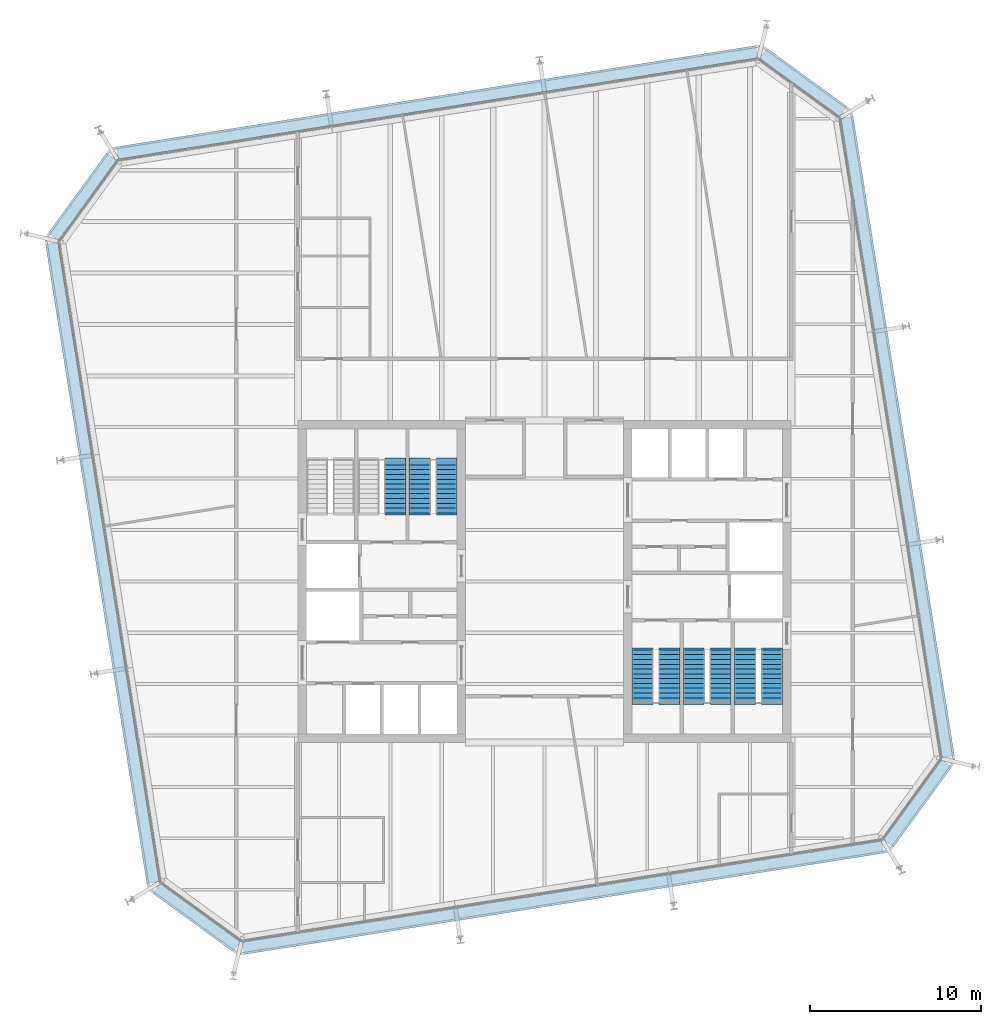
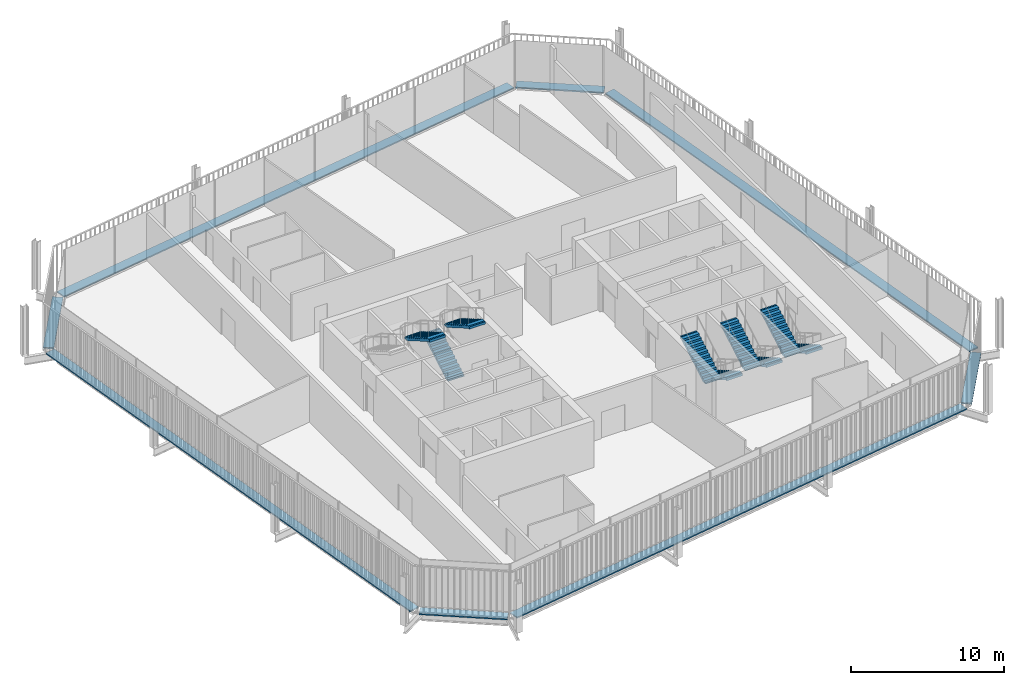
# One storey, part 19 of 20: 9 stair flights, 8 discrete accessories, 5 elements without a shape of their own.
"""IFC4 building model written with IfcOpenShell, lengths in metres."""

from ifc_helpers import new_model, si_unit, direction, frame, origin, origin_2d, place, context, subcontext, project, spatial, polyline, rectangle, outline, extrude, material, type_object, element, aggregate, save


model = new_model("IFC4")

# Units and contexts
model_context = context("Model", 3, precision=1e-05, world=origin(), true_north=direction((0.0, 1.0)))
body_context = subcontext(model_context, "Body", "Model", "MODEL_VIEW")
ifc_project = project(units=[si_unit("LENGTHUNIT", "METRE"), si_unit("AREAUNIT", "SQUARE_METRE"), si_unit("VOLUMEUNIT", "CUBIC_METRE"), si_unit("PLANEANGLEUNIT", "RADIAN"), si_unit("MASSUNIT", "GRAM", prefix="KILO")], contexts=[model_context])

# Site, building, storey
site_placement = place(None, origin())
site = spatial("IfcSite", under=ifc_project, at=site_placement, CompositionType="ELEMENT")
building_placement = place(site_placement, origin())
building = spatial("IfcBuilding", under=site, at=building_placement, Name="Millrace Tower", CompositionType="ELEMENT")
storey_placement = place(building_placement, frame((0.0, 0.0, 216.39990234375)))
storey = spatial("IfcBuildingStorey", under=building, at=storey_placement, Name="L49", CompositionType="ELEMENT", Elevation=216.39990234375)

# Stair, stair flight
ifc_material_1 = material(Name="Concrete C35", Category="concrete")
stair_type = type_object("IfcStairType", Name="Exit stair", PredefinedType="HALF_TURN_STAIR", material=ifc_material_1)
placement = place(storey_placement, origin())
stair_1 = element("IfcStair", 1, at=placement, inside=storey, type_object=stair_type, Name="Stair 2 W L49", PredefinedType="HALF_TURN_STAIR")
ifc_material_2 = material(Name="Concrete C35", Category="concrete")
stair_flight_type = type_object("IfcStairFlightType", Name="Exit stair flight", PredefinedType="STRAIGHT", material=ifc_material_2)
stair_flight_1_placement = place(storey_placement, frame((-8.7099609375, 7.080078125, 1.9501953125), z_axis=(0.0, 0.0, 1.0), x_axis=(0.0, -1.0, 0.0)))
stair_flight_1 = element("IfcStairFlight", 2, at=stair_flight_1_placement, type_object=stair_flight_type, Name="ST12 flight 2", NumberOfRisers=12, NumberOfTreads=11, PredefinedType="STRAIGHT", RiserHeight=0.1625, TreadLength=0.28, context=body_context, shape_type="SweptSolid", body=[
    extrude(outline(polyline([(-0.1201171875, -0.0400390625), (-0.1201171875, 0.0), (0.0, 0.0), (0.0, 0.16259765625), (0.280029296875, 0.16259765625), (0.280029296875, 0.324951171875), (0.56005859375, 0.324951171875), (0.56005859375, 0.487548828125), (0.840087890625, 0.487548828125), (0.840087890625, 0.64990234375), (1.1201171875, 0.64990234375), (1.1201171875, 0.8125), (1.39990234375, 0.8125), (1.39990234375, 0.97509765625), (1.679931640625, 0.97509765625), (1.679931640625, 1.137451171875), (1.9599609375, 1.137451171875), (1.9599609375, 1.300048828125), (2.239990234375, 1.300048828125), (2.239990234375, 1.46240234375), (2.52001953125, 1.46240234375), (2.52001953125, 1.625), (2.800048828125, 1.625), (2.800048828125, 1.78759765625), (3.080078125, 1.78759765625), (3.080078125, 1.8076171875), (3.199951171875, 1.8076171875), (3.199951171875, 1.6142578125), (3.080078125, 1.6142578125), (0.298583984375, 0.0), (0.298583984375, -0.0400390625), (-0.1201171875, -0.0400390625)])), frame((0.0, 0.60986328125, 0.0), z_axis=(0.0, -1.0, 0.0), x_axis=(1.0, 0.0, 0.0)), (0.0, 0.0, 1.0), 1.219970703125),
])
aggregate(stair_1, [stair_flight_1])

# Stair, stair flights
stair_2 = element("IfcStair", 3, at=placement, inside=storey, type_object=stair_type, Name="Stair 3 W L49", PredefinedType="HALF_TURN_STAIR")
stair_flight_2_placement = place(storey_placement, frame((-7.2900390625, 4.0, 0.0), z_axis=(0.0, 0.0, 1.0), x_axis=(0.0, 1.0, 0.0)))
stair_flight_2 = element("IfcStairFlight", 4, at=stair_flight_2_placement, type_object=stair_flight_type, Name="ST12 flight 1", NumberOfRisers=12, NumberOfTreads=11, PredefinedType="STRAIGHT", RiserHeight=0.1625, TreadLength=0.28, context=body_context, shape_type="SweptSolid", body=[
    extrude(outline(polyline([(-0.1201171875, -0.0400390625), (-0.1201171875, 0.0), (0.0, 0.0), (0.0, 0.16259765625), (0.280029296875, 0.16259765625), (0.280029296875, 0.324951171875), (0.56005859375, 0.324951171875), (0.56005859375, 0.487548828125), (0.840087890625, 0.487548828125), (0.840087890625, 0.64990234375), (1.1201171875, 0.64990234375), (1.1201171875, 0.8125), (1.39990234375, 0.8125), (1.39990234375, 0.97509765625), (1.679931640625, 0.97509765625), (1.679931640625, 1.137451171875), (1.9599609375, 1.137451171875), (1.9599609375, 1.300048828125), (2.239990234375, 1.300048828125), (2.239990234375, 1.46240234375), (2.52001953125, 1.46240234375), (2.52001953125, 1.625), (2.800048828125, 1.625), (2.800048828125, 1.78759765625), (3.080078125, 1.78759765625), (3.080078125, 1.8076171875), (3.199951171875, 1.8076171875), (3.199951171875, 1.6142578125), (3.080078125, 1.6142578125), (0.298583984375, 0.0), (0.298583984375, -0.0400390625), (-0.1201171875, -0.0400390625)])), frame((0.0, 0.60986328125, 0.0), z_axis=(0.0, -1.0, 0.0), x_axis=(1.0, 0.0, 0.0)), (0.0, 0.0, 1.0), 1.219970703125),
])
stair_flight_3_placement = place(storey_placement, frame((-5.7099609375, 7.080078125, 1.9501953125), z_axis=(0.0, 0.0, 1.0), x_axis=(0.0, -1.0, 0.0)))
stair_flight_3 = element("IfcStairFlight", 5, at=stair_flight_3_placement, type_object=stair_flight_type, Name="ST12 flight 2", NumberOfRisers=12, NumberOfTreads=11, PredefinedType="STRAIGHT", RiserHeight=0.1625, TreadLength=0.28, context=body_context, shape_type="SweptSolid", body=[
    extrude(outline(polyline([(-0.1201171875, -0.0400390625), (-0.1201171875, 0.0), (0.0, 0.0), (0.0, 0.16259765625), (0.280029296875, 0.16259765625), (0.280029296875, 0.324951171875), (0.56005859375, 0.324951171875), (0.56005859375, 0.487548828125), (0.840087890625, 0.487548828125), (0.840087890625, 0.64990234375), (1.1201171875, 0.64990234375), (1.1201171875, 0.8125), (1.39990234375, 0.8125), (1.39990234375, 0.97509765625), (1.679931640625, 0.97509765625), (1.679931640625, 1.137451171875), (1.9599609375, 1.137451171875), (1.9599609375, 1.300048828125), (2.239990234375, 1.300048828125), (2.239990234375, 1.46240234375), (2.52001953125, 1.46240234375), (2.52001953125, 1.625), (2.800048828125, 1.625), (2.800048828125, 1.78759765625), (3.080078125, 1.78759765625), (3.080078125, 1.8076171875), (3.199951171875, 1.8076171875), (3.199951171875, 1.6142578125), (3.080078125, 1.6142578125), (0.298583984375, 0.0), (0.298583984375, -0.0400390625), (-0.1201171875, -0.0400390625)])), frame((0.0, 0.60986328125, 0.0), z_axis=(0.0, -1.0, 0.0), x_axis=(1.0, 0.0, 0.0)), (0.0, 0.0, 1.0), 1.219970703125),
])
aggregate(stair_2, [stair_flight_2, stair_flight_3])

stair_3 = element("IfcStair", 6, at=placement, inside=storey, type_object=stair_type, Name="Stair 1 E L49", PredefinedType="HALF_TURN_STAIR")
stair_flight_4_placement = place(storey_placement, frame((13.2900390625, -4.0, 0.0), z_axis=(0.0, 0.0, 1.0), x_axis=(0.0, -1.0, 0.0)))
stair_flight_4 = element("IfcStairFlight", 7, at=stair_flight_4_placement, type_object=stair_flight_type, Name="ST12 flight 1", NumberOfRisers=12, NumberOfTreads=11, PredefinedType="STRAIGHT", RiserHeight=0.1625, TreadLength=0.28, context=body_context, shape_type="SweptSolid", body=[
    extrude(outline(polyline([(-0.1201171875, -0.0400390625), (-0.1201171875, 0.0), (0.0, 0.0), (0.0, 0.16259765625), (0.280029296875, 0.16259765625), (0.280029296875, 0.324951171875), (0.56005859375, 0.324951171875), (0.56005859375, 0.487548828125), (0.840087890625, 0.487548828125), (0.840087890625, 0.64990234375), (1.1201171875, 0.64990234375), (1.1201171875, 0.8125), (1.39990234375, 0.8125), (1.39990234375, 0.97509765625), (1.679931640625, 0.97509765625), (1.679931640625, 1.137451171875), (1.9599609375, 1.137451171875), (1.9599609375, 1.300048828125), (2.239990234375, 1.300048828125), (2.239990234375, 1.46240234375), (2.52001953125, 1.46240234375), (2.52001953125, 1.625), (2.800048828125, 1.625), (2.800048828125, 1.78759765625), (3.080078125, 1.78759765625), (3.080078125, 1.8076171875), (3.199951171875, 1.8076171875), (3.199951171875, 1.6142578125), (3.080078125, 1.6142578125), (0.298583984375, 0.0), (0.298583984375, -0.0400390625), (-0.1201171875, -0.0400390625)])), frame((0.0, 0.60986328125, 0.0), z_axis=(0.0, -1.0, 0.0), x_axis=(1.0, 0.0, 0.0)), (0.0, 0.0, 1.0), 1.219970703125),
])
stair_flight_5_placement = place(storey_placement, frame((11.7099609375, -7.080078125, 1.9501953125), z_axis=(0.0, 0.0, 1.0), x_axis=(0.0, 1.0, 0.0)))
stair_flight_5 = element("IfcStairFlight", 8, at=stair_flight_5_placement, type_object=stair_flight_type, Name="ST12 flight 2", NumberOfRisers=12, NumberOfTreads=11, PredefinedType="STRAIGHT", RiserHeight=0.1625, TreadLength=0.28, context=body_context, shape_type="SweptSolid", body=[
    extrude(outline(polyline([(-0.1201171875, -0.0400390625), (-0.1201171875, 0.0), (0.0, 0.0), (0.0, 0.16259765625), (0.280029296875, 0.16259765625), (0.280029296875, 0.324951171875), (0.56005859375, 0.324951171875), (0.56005859375, 0.487548828125), (0.840087890625, 0.487548828125), (0.840087890625, 0.64990234375), (1.1201171875, 0.64990234375), (1.1201171875, 0.8125), (1.39990234375, 0.8125), (1.39990234375, 0.97509765625), (1.679931640625, 0.97509765625), (1.679931640625, 1.137451171875), (1.9599609375, 1.137451171875), (1.9599609375, 1.300048828125), (2.239990234375, 1.300048828125), (2.239990234375, 1.46240234375), (2.52001953125, 1.46240234375), (2.52001953125, 1.625), (2.800048828125, 1.625), (2.800048828125, 1.78759765625), (3.080078125, 1.78759765625), (3.080078125, 1.8076171875), (3.199951171875, 1.8076171875), (3.199951171875, 1.6142578125), (3.080078125, 1.6142578125), (0.298583984375, 0.0), (0.298583984375, -0.0400390625), (-0.1201171875, -0.0400390625)])), frame((0.0, 0.60986328125, 0.0), z_axis=(0.0, -1.0, 0.0), x_axis=(1.0, 0.0, 0.0)), (0.0, 0.0, 1.0), 1.219970703125),
])
aggregate(stair_3, [stair_flight_4, stair_flight_5])

stair_4 = element("IfcStair", 9, at=placement, inside=storey, type_object=stair_type, Name="Stair 2 E L49", PredefinedType="HALF_TURN_STAIR")
stair_flight_6_placement = place(storey_placement, frame((10.2900390625, -4.0, 0.0), z_axis=(0.0, 0.0, 1.0), x_axis=(0.0, -1.0, 0.0)))
stair_flight_6 = element("IfcStairFlight", 10, at=stair_flight_6_placement, type_object=stair_flight_type, Name="ST12 flight 1", NumberOfRisers=12, NumberOfTreads=11, PredefinedType="STRAIGHT", RiserHeight=0.1625, TreadLength=0.28, context=body_context, shape_type="SweptSolid", body=[
    extrude(outline(polyline([(-0.1201171875, -0.0400390625), (-0.1201171875, 0.0), (0.0, 0.0), (0.0, 0.16259765625), (0.280029296875, 0.16259765625), (0.280029296875, 0.324951171875), (0.56005859375, 0.324951171875), (0.56005859375, 0.487548828125), (0.840087890625, 0.487548828125), (0.840087890625, 0.64990234375), (1.1201171875, 0.64990234375), (1.1201171875, 0.8125), (1.39990234375, 0.8125), (1.39990234375, 0.97509765625), (1.679931640625, 0.97509765625), (1.679931640625, 1.137451171875), (1.9599609375, 1.137451171875), (1.9599609375, 1.300048828125), (2.239990234375, 1.300048828125), (2.239990234375, 1.46240234375), (2.52001953125, 1.46240234375), (2.52001953125, 1.625), (2.800048828125, 1.625), (2.800048828125, 1.78759765625), (3.080078125, 1.78759765625), (3.080078125, 1.8076171875), (3.199951171875, 1.8076171875), (3.199951171875, 1.6142578125), (3.080078125, 1.6142578125), (0.298583984375, 0.0), (0.298583984375, -0.0400390625), (-0.1201171875, -0.0400390625)])), frame((0.0, 0.60986328125, 0.0), z_axis=(0.0, -1.0, 0.0), x_axis=(1.0, 0.0, 0.0)), (0.0, 0.0, 1.0), 1.219970703125),
])
stair_flight_7_placement = place(storey_placement, frame((8.7099609375, -7.080078125, 1.9501953125), z_axis=(0.0, 0.0, 1.0), x_axis=(0.0, 1.0, 0.0)))
stair_flight_7 = element("IfcStairFlight", 11, at=stair_flight_7_placement, type_object=stair_flight_type, Name="ST12 flight 2", NumberOfRisers=12, NumberOfTreads=11, PredefinedType="STRAIGHT", RiserHeight=0.1625, TreadLength=0.28, context=body_context, shape_type="SweptSolid", body=[
    extrude(outline(polyline([(-0.1201171875, -0.0400390625), (-0.1201171875, 0.0), (0.0, 0.0), (0.0, 0.16259765625), (0.280029296875, 0.16259765625), (0.280029296875, 0.324951171875), (0.56005859375, 0.324951171875), (0.56005859375, 0.487548828125), (0.840087890625, 0.487548828125), (0.840087890625, 0.64990234375), (1.1201171875, 0.64990234375), (1.1201171875, 0.8125), (1.39990234375, 0.8125), (1.39990234375, 0.97509765625), (1.679931640625, 0.97509765625), (1.679931640625, 1.137451171875), (1.9599609375, 1.137451171875), (1.9599609375, 1.300048828125), (2.239990234375, 1.300048828125), (2.239990234375, 1.46240234375), (2.52001953125, 1.46240234375), (2.52001953125, 1.625), (2.800048828125, 1.625), (2.800048828125, 1.78759765625), (3.080078125, 1.78759765625), (3.080078125, 1.8076171875), (3.199951171875, 1.8076171875), (3.199951171875, 1.6142578125), (3.080078125, 1.6142578125), (0.298583984375, 0.0), (0.298583984375, -0.0400390625), (-0.1201171875, -0.0400390625)])), frame((0.0, 0.60986328125, 0.0), z_axis=(0.0, -1.0, 0.0), x_axis=(1.0, 0.0, 0.0)), (0.0, 0.0, 1.0), 1.219970703125),
])
aggregate(stair_4, [stair_flight_6, stair_flight_7])

stair_5 = element("IfcStair", 12, at=placement, inside=storey, type_object=stair_type, Name="Stair 3 E L49", PredefinedType="HALF_TURN_STAIR")
stair_flight_8_placement = place(storey_placement, frame((7.2900390625, -4.0, 0.0), z_axis=(0.0, 0.0, 1.0), x_axis=(0.0, -1.0, 0.0)))
stair_flight_8 = element("IfcStairFlight", 13, at=stair_flight_8_placement, type_object=stair_flight_type, Name="ST12 flight 1", NumberOfRisers=12, NumberOfTreads=11, PredefinedType="STRAIGHT", RiserHeight=0.1625, TreadLength=0.28, context=body_context, shape_type="SweptSolid", body=[
    extrude(outline(polyline([(-0.1201171875, -0.0400390625), (-0.1201171875, 0.0), (0.0, 0.0), (0.0, 0.16259765625), (0.280029296875, 0.16259765625), (0.280029296875, 0.324951171875), (0.56005859375, 0.324951171875), (0.56005859375, 0.487548828125), (0.840087890625, 0.487548828125), (0.840087890625, 0.64990234375), (1.1201171875, 0.64990234375), (1.1201171875, 0.8125), (1.39990234375, 0.8125), (1.39990234375, 0.97509765625), (1.679931640625, 0.97509765625), (1.679931640625, 1.137451171875), (1.9599609375, 1.137451171875), (1.9599609375, 1.300048828125), (2.239990234375, 1.300048828125), (2.239990234375, 1.46240234375), (2.52001953125, 1.46240234375), (2.52001953125, 1.625), (2.800048828125, 1.625), (2.800048828125, 1.78759765625), (3.080078125, 1.78759765625), (3.080078125, 1.8076171875), (3.199951171875, 1.8076171875), (3.199951171875, 1.6142578125), (3.080078125, 1.6142578125), (0.298583984375, 0.0), (0.298583984375, -0.0400390625), (-0.1201171875, -0.0400390625)])), frame((0.0, 0.60986328125, 0.0), z_axis=(0.0, -1.0, 0.0), x_axis=(1.0, 0.0, 0.0)), (0.0, 0.0, 1.0), 1.219970703125),
])
stair_flight_9_placement = place(storey_placement, frame((5.7099609375, -7.080078125, 1.9501953125), z_axis=(0.0, 0.0, 1.0), x_axis=(0.0, 1.0, 0.0)))
stair_flight_9 = element("IfcStairFlight", 14, at=stair_flight_9_placement, type_object=stair_flight_type, Name="ST12 flight 2", NumberOfRisers=12, NumberOfTreads=11, PredefinedType="STRAIGHT", RiserHeight=0.1625, TreadLength=0.28, context=body_context, shape_type="SweptSolid", body=[
    extrude(outline(polyline([(-0.1201171875, -0.0400390625), (-0.1201171875, 0.0), (0.0, 0.0), (0.0, 0.16259765625), (0.280029296875, 0.16259765625), (0.280029296875, 0.324951171875), (0.56005859375, 0.324951171875), (0.56005859375, 0.487548828125), (0.840087890625, 0.487548828125), (0.840087890625, 0.64990234375), (1.1201171875, 0.64990234375), (1.1201171875, 0.8125), (1.39990234375, 0.8125), (1.39990234375, 0.97509765625), (1.679931640625, 0.97509765625), (1.679931640625, 1.137451171875), (1.9599609375, 1.137451171875), (1.9599609375, 1.300048828125), (2.239990234375, 1.300048828125), (2.239990234375, 1.46240234375), (2.52001953125, 1.46240234375), (2.52001953125, 1.625), (2.800048828125, 1.625), (2.800048828125, 1.78759765625), (3.080078125, 1.78759765625), (3.080078125, 1.8076171875), (3.199951171875, 1.8076171875), (3.199951171875, 1.6142578125), (3.080078125, 1.6142578125), (0.298583984375, 0.0), (0.298583984375, -0.0400390625), (-0.1201171875, -0.0400390625)])), frame((0.0, 0.60986328125, 0.0), z_axis=(0.0, -1.0, 0.0), x_axis=(1.0, 0.0, 0.0)), (0.0, 0.0, 1.0), 1.219970703125),
])
aggregate(stair_5, [stair_flight_8, stair_flight_9])

# Discrete accessories
ifc_material_3 = material(Name="Stainless steel ASTM A240 type 316", Category="steel")
discrete_accessory_type = type_object("IfcDiscreteAccessoryType", Name="Thermally broken screen support rail", PredefinedType="BRACKET", material=ifc_material_3)
discrete_accessory_1_placement = place(storey_placement, frame((-20.314453125, -19.632080078125, 0.0), z_axis=(0.0, 0.0, 1.0), x_axis=(0.809016955361, -0.587785305991, 0.0)))
element("IfcDiscreteAccessory", 15, at=discrete_accessory_1_placement, inside=storey, type_object=discrete_accessory_type, Name="Thermally broken screen support rail D-F01 L49 1", PredefinedType="BRACKET", context=body_context, shape_type="SweptSolid", body=[
    extrude(rectangle(XDim=5.79833984375, YDim=0.719970703125, at=origin_2d()), origin(), (0.0, 0.0, 1.0), 0.10009765625),
])
discrete_accessory_2_placement = place(storey_placement, frame((1.077880859375, -18.470458984375, 0.0), z_axis=(0.0, 0.0, 1.0), x_axis=(0.987688339511, 0.156434471884, 0.0)))
element("IfcDiscreteAccessory", 16, at=discrete_accessory_2_placement, inside=storey, type_object=discrete_accessory_type, Name="Thermally broken screen support rail D-F02 L49 1", PredefinedType="BRACKET", context=body_context, shape_type="SweptSolid", body=[
    extrude(rectangle(XDim=37.800048828125, YDim=0.719970703125, at=origin_2d()), origin(), (0.0, 0.0, 1.0), 0.10009765625),
])
discrete_accessory_3_placement = place(storey_placement, frame((21.781982421875, -12.964599609375, 0.0), z_axis=(0.0, 0.0, 1.0), x_axis=(0.587785305991, 0.809016955361, 0.0)))
element("IfcDiscreteAccessory", 17, at=discrete_accessory_3_placement, inside=storey, type_object=discrete_accessory_type, Name="Thermally broken screen support rail D-F03 L49 1", PredefinedType="BRACKET", context=body_context, shape_type="SweptSolid", body=[
    extrude(rectangle(XDim=5.79833984375, YDim=0.719970703125, at=origin_2d()), origin(), (0.0, 0.0, 1.0), 0.10009765625),
])
discrete_accessory_4_placement = place(storey_placement, frame((20.62060546875, 8.427734375, 0.0), z_axis=(0.0, 0.0, 1.0), x_axis=(-0.156434471884, 0.987688339511, 0.0)))
element("IfcDiscreteAccessory", 18, at=discrete_accessory_4_placement, inside=storey, type_object=discrete_accessory_type, Name="Thermally broken screen support rail D-F04 L49 1", PredefinedType="BRACKET", context=body_context, shape_type="SweptSolid", body=[
    extrude(rectangle(XDim=37.800048828125, YDim=0.719970703125, at=origin_2d()), origin(), (0.0, 0.0, 1.0), 0.10009765625),
])
discrete_accessory_5_placement = place(storey_placement, frame((15.114501953125, 29.132080078125, 0.0), z_axis=(0.0, 0.0, 1.0), x_axis=(-0.809016955361, 0.587785305991, 0.0)))
element("IfcDiscreteAccessory", 19, at=discrete_accessory_5_placement, inside=storey, type_object=discrete_accessory_type, Name="Thermally broken screen support rail D-F05 L49 1", PredefinedType="BRACKET", context=body_context, shape_type="SweptSolid", body=[
    extrude(rectangle(XDim=5.79833984375, YDim=0.719970703125, at=origin_2d()), origin(), (0.0, 0.0, 1.0), 0.10009765625),
])
discrete_accessory_6_placement = place(storey_placement, frame((-6.27783203125, 27.970458984375, 0.0), z_axis=(0.0, 0.0, 1.0), x_axis=(-0.987688339511, -0.156434471884, 0.0)))
element("IfcDiscreteAccessory", 20, at=discrete_accessory_6_placement, inside=storey, type_object=discrete_accessory_type, Name="Thermally broken screen support rail D-F06 L49 1", PredefinedType="BRACKET", context=body_context, shape_type="SweptSolid", body=[
    extrude(rectangle(XDim=37.800048828125, YDim=0.719970703125, at=origin_2d()), origin(), (0.0, 0.0, 1.0), 0.10009765625),
])
discrete_accessory_7_placement = place(storey_placement, frame((-26.98193359375, 22.464599609375, 0.0), z_axis=(0.0, 0.0, 1.0), x_axis=(-0.587785305991, -0.809016955361, 0.0)))
element("IfcDiscreteAccessory", 21, at=discrete_accessory_7_placement, inside=storey, type_object=discrete_accessory_type, Name="Thermally broken screen support rail D-F07 L49 1", PredefinedType="BRACKET", context=body_context, shape_type="SweptSolid", body=[
    extrude(rectangle(XDim=5.79833984375, YDim=0.719970703125, at=origin_2d()), origin(), (0.0, 0.0, 1.0), 0.10009765625),
])
discrete_accessory_8_placement = place(storey_placement, frame((-25.820556640625, 1.072265625, 0.0), z_axis=(0.0, 0.0, 1.0), x_axis=(0.156434471884, -0.987688339511, 0.0)))
element("IfcDiscreteAccessory", 22, at=discrete_accessory_8_placement, inside=storey, type_object=discrete_accessory_type, Name="Thermally broken screen support rail D-F08 L49 1", PredefinedType="BRACKET", context=body_context, shape_type="SweptSolid", body=[
    extrude(rectangle(XDim=37.800048828125, YDim=0.719970703125, at=origin_2d()), origin(), (0.0, 0.0, 1.0), 0.10009765625),
])

save(model, "model.ifc")
